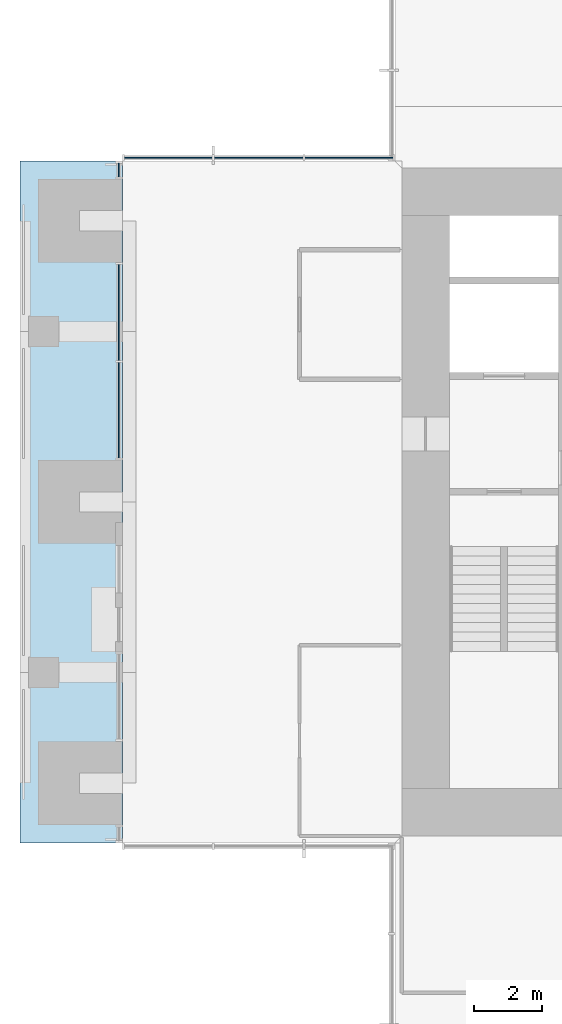
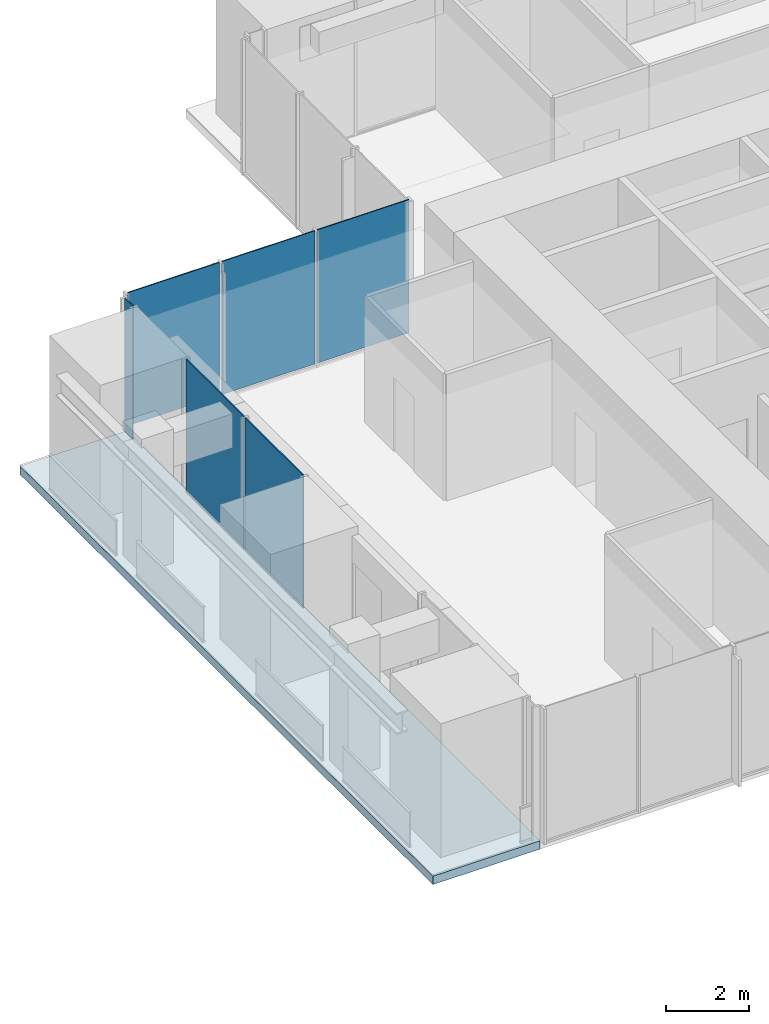
# One storey, part 8 of 17: 6 plates, 1 slab, 3 elements without a shape of their own.
"""IFC4 building model written with IfcOpenShell, lengths in metres."""

from ifc_helpers import new_model, si_unit, direction, frame, origin, origin_2d, place, context, subcontext, project, spatial, polyline, rectangle, outline, extrude, material, layer, layer_set, type_object, element, aggregate, save


model = new_model("IFC4")

# Units and contexts
model_context = context("Model", 3, precision=1e-05, world=origin(), true_north=direction((0.0, 1.0)))
body_context = subcontext(model_context, "Body", "Model", "MODEL_VIEW")
ifc_project = project(units=[si_unit("LENGTHUNIT", "METRE"), si_unit("AREAUNIT", "SQUARE_METRE"), si_unit("VOLUMEUNIT", "CUBIC_METRE"), si_unit("PLANEANGLEUNIT", "RADIAN"), si_unit("MASSUNIT", "GRAM", prefix="KILO")], contexts=[model_context])

# Site, building, storey
site_placement = place(None, origin())
site = spatial("IfcSite", under=ifc_project, at=site_placement, CompositionType="ELEMENT")
building_placement = place(site_placement, origin())
building = spatial("IfcBuilding", under=site, at=building_placement, Name="Svetlomir Tower", CompositionType="ELEMENT")
storey_placement = place(building_placement, frame((0.0, 0.0, 226.5)))
storey = spatial("IfcBuildingStorey", under=building, at=storey_placement, Name="L54", CompositionType="ELEMENT", Elevation=226.5)

# Curtain wall, plates
ifc_material_1 = material(Name="Bronze anodised aluminium curtain wall", Category="aluminium")
curtain_wall_type = type_object("IfcCurtainWallType", Name="CURTAIN WALL CW1 TOWER OFFICE", PredefinedType="NOTDEFINED", material=ifc_material_1)
curtain_wall_1_placement = place(storey_placement, origin())
curtain_wall_1 = element("IfcCurtainWall", 1, at=curtain_wall_1_placement, inside=storey, type_object=curtain_wall_type, Name="Curtain wall CW1 L54", PredefinedType="NOTDEFINED")
ifc_material_2 = material(Name="Tinted double glazed unit", Category="glass")
ifc_layer_1 = layer(ifc_material_2, 0.031982421875)
ifc_layer_set_1 = layer_set([ifc_layer_1], Name="Tinted double glazed unit")
plate_type = type_object("IfcPlateType", Name="CW1 GLAZED PANEL 32", PredefinedType="CURTAIN_PANEL", material=ifc_layer_set_1)
plate_1_placement = place(storey_placement, frame((9.650390625, 31.10009765625, 0.06494140625), z_axis=(0.0, 0.0, 1.0), x_axis=(-1.0, 0.0, 0.0)))
plate_1 = element("IfcPlate", 2, at=plate_1_placement, type_object=plate_type, Name="CW1 panel 1.1", PredefinedType="CURTAIN_PANEL", context=body_context, shape_type="SweptSolid", body=[
    extrude(rectangle(XDim=2.569091796875, YDim=0.031982421875, at=origin_2d()), origin(), (0.0, 0.0, 1.0), 3.93505859375),
])
plate_2_placement = place(storey_placement, frame((7.0, 31.10009765625, 0.06494140625), z_axis=(0.0, 0.0, 1.0), x_axis=(-1.0, 0.0, 0.0)))
plate_2 = element("IfcPlate", 3, at=plate_2_placement, type_object=plate_type, Name="CW1 panel 2.1", PredefinedType="CURTAIN_PANEL", context=body_context, shape_type="SweptSolid", body=[
    extrude(rectangle(XDim=2.6015625, YDim=0.031982421875, at=origin_2d()), origin(), (0.0, 0.0, 1.0), 3.93505859375),
])
plate_3_placement = place(storey_placement, frame((4.349609375, 31.10009765625, 0.06494140625), z_axis=(0.0, 0.0, 1.0), x_axis=(-1.0, 0.0, 0.0)))
plate_3 = element("IfcPlate", 4, at=plate_3_placement, type_object=plate_type, Name="CW1 panel 3.1", PredefinedType="CURTAIN_PANEL", context=body_context, shape_type="SweptSolid", body=[
    extrude(rectangle(XDim=2.569091796875, YDim=0.031982421875, at=origin_2d()), origin(), (0.0, 0.0, 1.0), 3.93505859375),
])
aggregate(curtain_wall_1, [plate_1, plate_2, plate_3])

# Curtain wall, plate
curtain_wall_2_placement = place(storey_placement, origin())
curtain_wall_2 = element("IfcCurtainWall", 5, at=curtain_wall_2_placement, inside=storey, type_object=curtain_wall_type, Name="Curtain wall CW1 L54", PredefinedType="NOTDEFINED")
plate_4_placement = place(storey_placement, frame((2.89990234375, 30.737548828125, 0.06494140625), z_axis=(0.0, 0.0, 1.0), x_axis=(0.0, -1.0, 0.0)))
plate_4 = element("IfcPlate", 6, at=plate_4_placement, type_object=plate_type, Name="CW1 panel 1.1", PredefinedType="CURTAIN_PANEL", context=body_context, shape_type="SweptSolid", body=[
    extrude(rectangle(XDim=0.39501953125, YDim=0.031982421875, at=origin_2d()), origin(), (0.0, 0.0, 1.0), 3.93505859375),
])
aggregate(curtain_wall_2, [plate_4])

# Curtain wall, plates
curtain_wall_3_placement = place(storey_placement, origin())
curtain_wall_3 = element("IfcCurtainWall", 7, at=curtain_wall_3_placement, inside=storey, type_object=curtain_wall_type, Name="Curtain wall CW1 L54", PredefinedType="NOTDEFINED")
plate_5_placement = place(storey_placement, frame((2.89990234375, 26.558837890625, 0.06494140625), z_axis=(0.0, 0.0, 1.0), x_axis=(0.0, -1.0, 0.0)))
plate_5 = element("IfcPlate", 8, at=plate_5_placement, type_object=plate_type, Name="CW1 panel 1.1", PredefinedType="CURTAIN_PANEL", context=body_context, shape_type="SweptSolid", body=[
    extrude(rectangle(XDim=2.802490234375, YDim=0.031982421875, at=origin_2d()), origin(), (0.0, 0.0, 1.0), 3.93505859375),
])
plate_6_placement = place(storey_placement, frame((2.89990234375, 23.691162109375, 0.06494140625), z_axis=(0.0, 0.0, 1.0), x_axis=(0.0, -1.0, 0.0)))
plate_6 = element("IfcPlate", 9, at=plate_6_placement, type_object=plate_type, Name="CW1 panel 2.1", PredefinedType="CURTAIN_PANEL", context=body_context, shape_type="SweptSolid", body=[
    extrude(rectangle(XDim=2.802490234375, YDim=0.031982421875, at=origin_2d()), origin(), (0.0, 0.0, 1.0), 3.93505859375),
])
aggregate(curtain_wall_3, [plate_5, plate_6])

# Slab
ifc_material_3 = material(Name="Concrete C60/75", Category="concrete")
ifc_layer_2 = layer(ifc_material_3, 0.25)
ifc_layer_set_2 = layer_set([ifc_layer_2], Name="Concrete C60/75")
slab_type = type_object("IfcSlabType", Name="PLANTED LOGGIA SLAB 250", PredefinedType="FLOOR", material=ifc_layer_set_2)
slab_placement = place(storey_placement, frame((0.0, 0.0, -0.25)))
element("IfcSlab", 10, at=slab_placement, inside=storey, type_object=slab_type, Name="L54 W planted loggia", PredefinedType="FLOOR", context=body_context, shape_type="SweptSolid", body=[
    extrude(outline(polyline([(0.0, 11.0), (3.0, 11.0), (3.0, 31.0), (0.0, 31.0), (0.0, 11.0)])), origin(), (0.0, 0.0, 1.0), 0.25),
])

save(model, "model.ifc")
